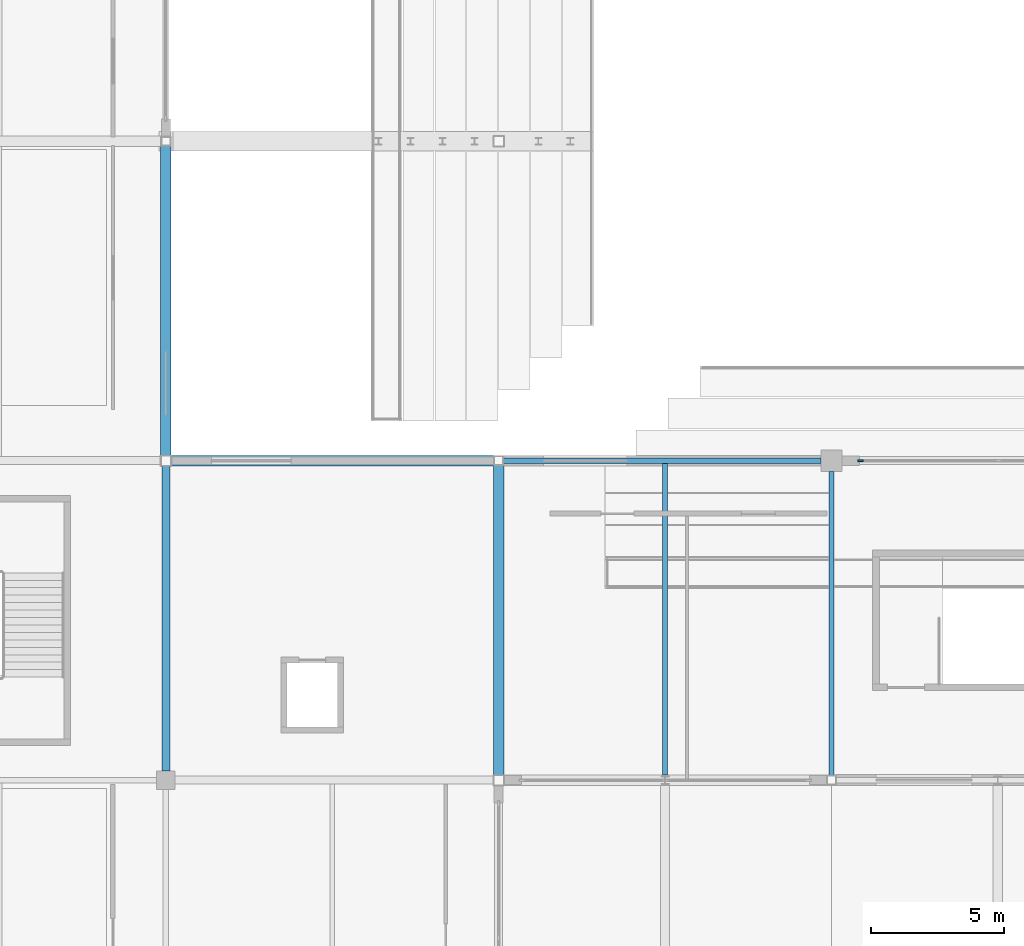
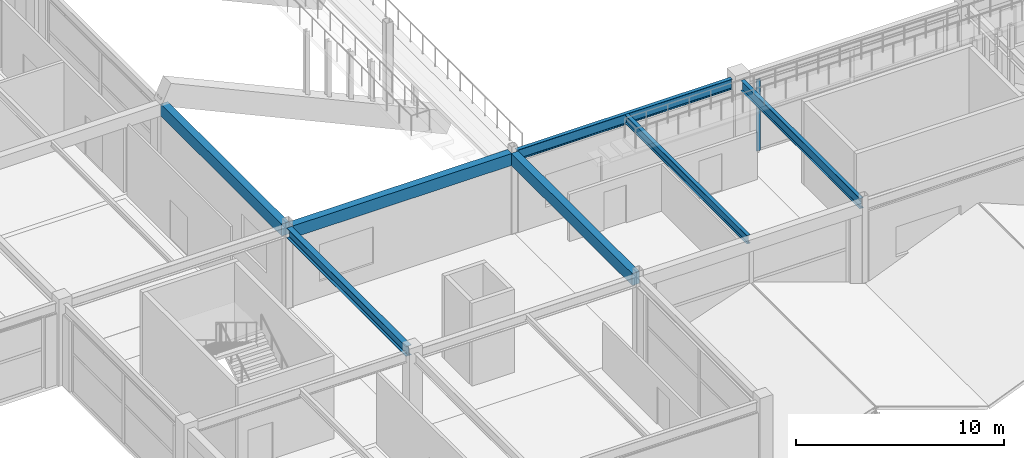
# One storey, part 28 of 128: 7 beams, 1 member, 1 element without a shape of its own.
"""IFC4 building model written with IfcOpenShell, lengths in metres."""

from ifc_helpers import new_model, si_unit, direction, frame, origin, origin_2d, place, context, subcontext, project, spatial, rectangle, i_section, extrude, material, layer, layer_set, material_profile, profile_set, type_object, element, aggregate, save


model = new_model("IFC4")

# Units and contexts
model_context = context("Model", 3, precision=1e-05, world=origin(), true_north=direction((0.0, 1.0)))
body_context = subcontext(model_context, "Body", "Model", "MODEL_VIEW")
ifc_project = project(units=[si_unit("LENGTHUNIT", "METRE"), si_unit("AREAUNIT", "SQUARE_METRE"), si_unit("VOLUMEUNIT", "CUBIC_METRE"), si_unit("PLANEANGLEUNIT", "RADIAN"), si_unit("MASSUNIT", "GRAM", prefix="KILO")], contexts=[model_context])

# Site, building, storey
site_placement = place(None, origin())
site = spatial("IfcSite", under=ifc_project, at=site_placement, CompositionType="ELEMENT")
building_placement = place(site_placement, origin())
building = spatial("IfcBuilding", under=site, at=building_placement, Name="Kazenohara Klinker Stadium", CompositionType="ELEMENT")
storey_placement = place(building_placement, frame((0.0, 0.0, 15.300048828125)))
storey = spatial("IfcBuildingStorey", under=building, at=storey_placement, Name="L03", CompositionType="ELEMENT", Elevation=15.300048828125)

# Beams
ifc_material_1 = material(Name="Steel S355", Category="steel")
ifc_material_profile_1 = material_profile(ifc_material_1, i_section(OverallWidth=0.199951171875, OverallDepth=0.5, WebThickness=0.010009765625, FlangeThickness=0.01611328125, FilletRadius=0.012939453125, at=origin_2d()), Name="H-500x200x10x16")
ifc_profile_set_1 = profile_set([ifc_material_profile_1], Name="Steel S355")
beam_type_1 = type_object("IfcBeamType", Name="BM-JST01", PredefinedType="JOIST", material=ifc_profile_set_1)
beam_1_placement = place(storey_placement, frame((55.25, 24.199951171875, 4.510009765625), z_axis=(0.0, 1.0, 0.0), x_axis=(-1.0, 0.0, 0.0)))
element("IfcBeam", 1, at=beam_1_placement, inside=storey, type_object=beam_type_1, Name="Secondary floor joist SJ01 L03 5/C", PredefinedType="JOIST", context=body_context, shape_type="SweptSolid", body=[
    extrude(i_section(OverallWidth=0.199951171875, OverallDepth=0.5, WebThickness=0.010009765625, FlangeThickness=0.01611328125, FilletRadius=0.012939453125, at=origin_2d()), origin(), (0.0, 0.0, 1.0), 11.699951171875),
])
ifc_material_2 = material(Name="Concrete C40/50", Category="concrete")
ifc_material_profile_2 = material_profile(ifc_material_2, rectangle(XDim=0.39990234375, YDim=0.699951171875, at=origin_2d()), Name="RC-BM-400x700")
ifc_profile_set_2 = profile_set([ifc_material_profile_2], Name="Concrete C40/50")
beam_type_2 = type_object("IfcBeamType", Name="BM-RC04", PredefinedType="BEAM", material=ifc_profile_set_2)
beam_2_placement = place(storey_placement, frame((36.699951171875, 36.0, 4.409912109375), z_axis=(1.0, 0.0, 0.0), x_axis=(0.0, 1.0, 0.0)))
element("IfcBeam", 2, at=beam_2_placement, inside=storey, type_object=beam_type_2, Name="Primary girder BG04 L03 4-5/D", PredefinedType="BEAM", context=body_context, shape_type="SweptSolid", body=[
    extrude(rectangle(XDim=0.39990234375, YDim=0.699951171875, at=origin_2d()), origin(), (0.0, 0.0, 1.0), 12.125),
])
for number, where, z_axis, x_axis, name in (
    (3, (36.5, 36.199951171875, 4.409912109375), (0.0, 1.0, 0.0), (-1.0, 0.0, 0.0), "Primary girder BG04 L03 4/D-E"),
    (4, (49.0, 24.199951171875, 4.409912109375), (0.0, 1.0, 0.0), (-1.0, 0.0, 0.0), "Primary girder BG04 L03 5/C-D"),
):
    element("IfcBeam", number, at=place(storey_placement, frame(where, z_axis=z_axis, x_axis=x_axis)), inside=storey, type_object=beam_type_2, Name=name, PredefinedType="BEAM", context=body_context, shape_type="SweptSolid", body=[
        extrude(rectangle(XDim=0.39990234375, YDim=0.699951171875, at=origin_2d()), origin(), (0.0, 0.0, 1.0), 11.625),
    ])
ifc_material_profile_3 = material_profile(ifc_material_1, i_section(OverallWidth=0.199951171875, OverallDepth=0.60009765625, WebThickness=0.010986328125, FlangeThickness=0.01708984375, FilletRadius=0.012939453125, at=origin_2d()), Name="H-600x200x11x17")
ifc_profile_set_3 = profile_set([ifc_material_profile_3], Name="Steel S355")
beam_type_3 = type_object("IfcBeamType", Name="BM-ST04", PredefinedType="BEAM", material=ifc_profile_set_3)
beam_3_placement = place(storey_placement, frame((49.175048828125, 36.0, 4.4599609375), z_axis=(1.0, 0.0, 0.0), x_axis=(0.0, 1.0, 0.0)))
element("IfcBeam", 5, at=beam_3_placement, inside=storey, type_object=beam_type_3, Name="Primary girder SB04 L03 5-6/D", PredefinedType="BEAM", context=body_context, shape_type="SweptSolid", body=[
    extrude(i_section(OverallWidth=0.199951171875, OverallDepth=0.60009765625, WebThickness=0.010986328125, FlangeThickness=0.01708984375, FilletRadius=0.012939453125, at=origin_2d()), origin(), (0.0, 0.0, 1.0), 11.925048828125),
])
beam_4_placement = place(storey_placement, frame((61.5, 24.175048828125, 4.4599609375), z_axis=(0.0, 1.0, 0.0), x_axis=(-1.0, 0.0, 0.0)))
element("IfcBeam", 6, at=beam_4_placement, inside=storey, type_object=beam_type_3, Name="Primary girder SB04 L03 6/C-D", PredefinedType="BEAM", context=body_context, shape_type="SweptSolid", body=[
    extrude(i_section(OverallWidth=0.199951171875, OverallDepth=0.60009765625, WebThickness=0.010986328125, FlangeThickness=0.01708984375, FilletRadius=0.012939453125, at=origin_2d()), origin(), (0.0, 0.0, 1.0), 11.425048828125),
])
ifc_material_profile_4 = material_profile(ifc_material_1, i_section(OverallWidth=0.300048828125, OverallDepth=0.587890625, WebThickness=0.011962890625, FlangeThickness=0.02001953125, FilletRadius=0.02197265625, at=origin_2d()), Name="H-588x300x12x20")
ifc_profile_set_4 = profile_set([ifc_material_profile_4], Name="Steel S355")
beam_type_4 = type_object("IfcBeamType", Name="BM-ST05", PredefinedType="BEAM", material=ifc_profile_set_4)
beam_5_placement = place(storey_placement, frame((36.5, 24.35009765625, 4.466064453125), z_axis=(0.0, 1.0, 0.0), x_axis=(-1.0, 0.0, 0.0)))
element("IfcBeam", 7, at=beam_5_placement, inside=storey, type_object=beam_type_4, Name="Primary girder SB05 L03 4/C-D", PredefinedType="BEAM", context=body_context, shape_type="SweptSolid", body=[
    extrude(i_section(OverallWidth=0.300048828125, OverallDepth=0.587890625, WebThickness=0.011962890625, FlangeThickness=0.02001953125, FilletRadius=0.02197265625, at=origin_2d()), origin(), (0.0, 0.0, 1.0), 11.449951171875),
])

# Curtain wall, member
ifc_material_3 = material(Name="Anodised aluminium and triple glazing", Category="aluminium")
ifc_layer = layer(ifc_material_3, 0.179931640625)
ifc_layer_set = layer_set([ifc_layer], Name="Anodised aluminium and triple glazing")
curtain_wall_type = type_object("IfcCurtainWallType", Name="CW-SYS-02", PredefinedType="USERDEFINED", material=ifc_layer_set)
curtain_wall_placement = place(storey_placement, origin())
curtain_wall = element("IfcCurtainWall", 8, at=curtain_wall_placement, inside=storey, type_object=curtain_wall_type, Name="Unitised facade curtain wall CW02 L03 X5-3", ObjectType="UNITISED CURTAIN WALL", PredefinedType="USERDEFINED")
ifc_material_4 = material(Name="Anodised aluminium 6063-T6", Category="aluminium")
ifc_material_profile_5 = material_profile(ifc_material_4, rectangle(XDim=0.074951171875, YDim=0.219970703125, at=origin_2d()), Name="ALU-MUL-75x220")
ifc_profile_set_5 = profile_set([ifc_material_profile_5], Name="Anodised aluminium 6063-T6")
member_type = type_object("IfcMemberType", Name="CW-MUL-220", PredefinedType="MULLION", material=ifc_profile_set_5)
member_placement = place(storey_placement, frame((62.591552734375, 36.0, 0.0), z_axis=(0.0, 0.0, 1.0), x_axis=(0.0, 1.0, 0.0)))
member = element("IfcMember", 9, at=member_placement, type_object=member_type, Name="CW02 mullion 1", PredefinedType="MULLION", context=body_context, shape_type="SweptSolid", body=[
    extrude(rectangle(XDim=0.074951171875, YDim=0.219970703125, at=origin_2d()), origin(), (0.0, 0.0, 1.0), 4.171875),
])
aggregate(curtain_wall, [member])

save(model, "model.ifc")
